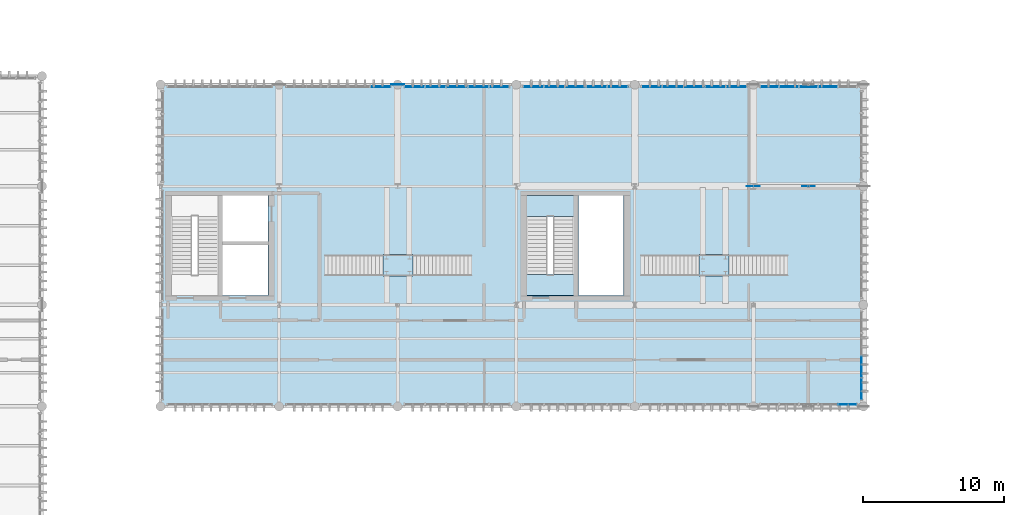
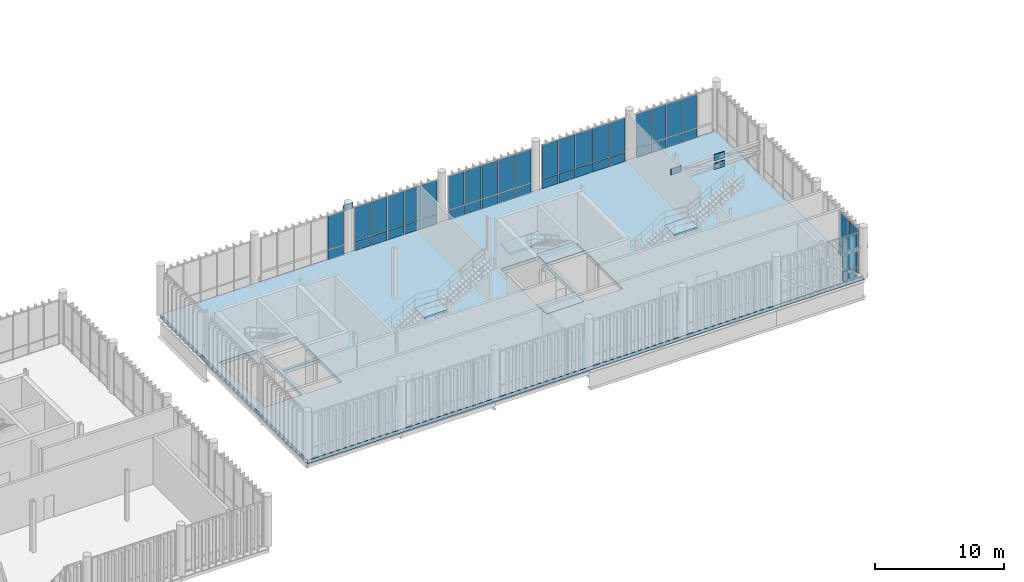
# One storey, part 66 of 86: 50 plates, 6 slabs, 10 elements without a shape of their own.
"""IFC4 building model written with IfcOpenShell, lengths in metres."""

from ifc_helpers import new_model, si_unit, direction, frame, frame_2d, origin_with_axes, origin_2d_with_axis, place, context, subcontext, project, spatial, polyline, rectangle, outline, extrude, material, layer, layer_set, type_object, element, aggregate, save


model = new_model("IFC4")

# Units and contexts
model_context = context("Model", 3, precision=1e-05, world=origin_with_axes(), true_north=direction((0.0, 1.0)))
body_context = subcontext(model_context, "Body", "Model", "MODEL_VIEW")
ifc_project = project(units=[si_unit("LENGTHUNIT", "METRE"), si_unit("AREAUNIT", "SQUARE_METRE"), si_unit("VOLUMEUNIT", "CUBIC_METRE"), si_unit("PLANEANGLEUNIT", "RADIAN"), si_unit("MASSUNIT", "GRAM", prefix="KILO"), si_unit("THERMODYNAMICTEMPERATUREUNIT", "KELVIN")], contexts=[model_context])

# Site, building, storey
site_placement = place(None, origin_with_axes())
site = spatial("IfcSite", under=ifc_project, at=site_placement, CompositionType="ELEMENT")
building_placement = place(site_placement, origin_with_axes())
building = spatial("IfcBuilding", under=site, at=building_placement, Name="Montbau Bow Law Courts", CompositionType="ELEMENT")
storey_placement = place(building_placement, frame((0.0, 0.0, 29.7), z_axis=(0.0, 0.0, 1.0), x_axis=(1.0, 0.0, 0.0)))
storey = spatial("IfcBuildingStorey", under=building, at=storey_placement, Name="L06", CompositionType="ELEMENT", Elevation=29.7)

# Curtain wall, plate
ifc_material_1 = material(Name="Thermally Broken Extruded Aluminium AA 6063-T6", Category="aluminium")
curtain_wall_type = type_object("IfcCurtainWallType", Name="CW-CRM-02", PredefinedType="NOTDEFINED", material=ifc_material_1)
curtain_wall_1_placement = place(None, frame((97.64, 39.14, 29.7), z_axis=(0.0, 0.0, 1.0), x_axis=(1.0, 0.0, 0.0)))
curtain_wall_1 = element("IfcCurtainWall", 1, at=curtain_wall_1_placement, inside=storey, type_object=curtain_wall_type, Name="CW-L06-228:cw_0228", PredefinedType="NOTDEFINED")
ifc_material_2 = material(Name="Triple-Glazed Low-E Argon Insulating Glass Unit", Category="glass")
ifc_layer_1 = layer(ifc_material_2, 0.044, Name="Curtain Panel", Category="glass")
ifc_layer_set_1 = layer_set([ifc_layer_1], Name="Triple-Glazed Low-E Argon Insulating Glass Unit")
plate_type_1 = type_object("IfcPlateType", Name="PL-CWP-01", PredefinedType="CURTAIN_PANEL", material=ifc_layer_set_1)
plate_1_placement = place(None, frame((103.215, 39.14, 30.682), z_axis=(0.0, -1.0, 0.0), x_axis=(1.0, 0.0, 0.0)))
plate_1 = element("IfcPlate", 2, at=plate_1_placement, type_object=plate_type_1, Name="CW-L06-228-P05-2:cw_0228_P05_2", PredefinedType="CURTAIN_PANEL", context=body_context, shape_type="SweptSolid", body=[
    extrude(rectangle(XDim=1.269, YDim=3.176, at=frame_2d((0.6345, 1.588), x_axis=(1.0, 0.0))), frame((0.0, 0.0, -0.022), z_axis=(0.0, 0.0, 1.0), x_axis=(1.0, 0.0, 0.0)), (0.0, 0.0, 1.0), 0.044),
])

curtain_wall_2_placement = place(None, frame((64.04, 61.66, 29.7), z_axis=(0.0, 0.0, 1.0), x_axis=(1.0, 0.0, 0.0)))
curtain_wall_2 = element("IfcCurtainWall", 3, at=curtain_wall_2_placement, inside=storey, type_object=curtain_wall_type, Name="CW-L06-230:cw_0230", PredefinedType="NOTDEFINED")
plate_2_placement = place(None, frame((70.088, 61.66, 30.682), z_axis=(0.0, -1.0, 0.0), x_axis=(1.0, 0.0, 0.0)))
plate_2 = element("IfcPlate", 4, at=plate_2_placement, type_object=plate_type_1, Name="CW-L06-230-P05-2:cw_0230_P05_2", PredefinedType="CURTAIN_PANEL", context=body_context, shape_type="SweptSolid", body=[
    extrude(rectangle(XDim=1.41, YDim=3.176, at=frame_2d((0.705, 1.588), x_axis=(1.0, 0.0))), frame((0.0, 0.0, -0.022), z_axis=(0.0, 0.0, 1.0), x_axis=(1.0, 0.0, 0.0)), (0.0, 0.0, 1.0), 0.044),
])

# Curtain wall, plates
curtain_wall_3_placement = place(None, frame((72.44, 61.66, 29.7), z_axis=(0.0, 0.0, 1.0), x_axis=(1.0, 0.0, 0.0)))
curtain_wall_3 = element("IfcCurtainWall", 5, at=curtain_wall_3_placement, inside=storey, type_object=curtain_wall_type, Name="CW-L06-231:cw_0231", PredefinedType="NOTDEFINED")
plate_3_placement = place(None, frame((72.516, 61.66, 30.679), z_axis=(0.0, -1.0, 0.0), x_axis=(1.0, 0.0, 0.0)))
plate_3 = element("IfcPlate", 6, at=plate_3_placement, type_object=plate_type_1, Name="CW-L06-231-P01-2:cw_0231_P01_2", PredefinedType="CURTAIN_PANEL", context=body_context, shape_type="SweptSolid", body=[
    extrude(rectangle(XDim=1.388, YDim=3.183, at=frame_2d((0.694, 1.5915), x_axis=(1.0, 0.0))), frame((0.0, 0.0, -0.022), z_axis=(0.0, 0.0, 1.0), x_axis=(1.0, 0.0, 0.0)), (0.0, 0.0, 1.0), 0.044),
])
plate_4_placement = place(None, frame((73.984, 61.66, 30.679), z_axis=(0.0, -1.0, 0.0), x_axis=(1.0, 0.0, 0.0)))
plate_4 = element("IfcPlate", 7, at=plate_4_placement, type_object=plate_type_1, Name="CW-L06-231-P02-2:cw_0231_P02_2", PredefinedType="CURTAIN_PANEL", context=body_context, shape_type="SweptSolid", body=[
    extrude(rectangle(XDim=1.425, YDim=3.183, at=frame_2d((0.7125, 1.5915), x_axis=(1.0, 0.0))), frame((0.0, 0.0, -0.022), z_axis=(0.0, 0.0, 1.0), x_axis=(1.0, 0.0, 0.0)), (0.0, 0.0, 1.0), 0.044),
])
plate_5_placement = place(None, frame((75.487, 61.66, 30.679), z_axis=(0.0, -1.0, 0.0), x_axis=(1.0, 0.0, 0.0)))
plate_5 = element("IfcPlate", 8, at=plate_5_placement, type_object=plate_type_1, Name="CW-L06-231-P03-2:cw_0231_P03_2", PredefinedType="CURTAIN_PANEL", context=body_context, shape_type="SweptSolid", body=[
    extrude(rectangle(XDim=1.426, YDim=3.183, at=frame_2d((0.713, 1.5915), x_axis=(1.0, 0.0))), frame((0.0, 0.0, -0.022), z_axis=(0.0, 0.0, 1.0), x_axis=(1.0, 0.0, 0.0)), (0.0, 0.0, 1.0), 0.044),
])
plate_6_placement = place(None, frame((76.991, 61.66, 30.679), z_axis=(0.0, -1.0, 0.0), x_axis=(1.0, 0.0, 0.0)))
plate_6 = element("IfcPlate", 9, at=plate_6_placement, type_object=plate_type_1, Name="CW-L06-231-P04-2:cw_0231_P04_2", PredefinedType="CURTAIN_PANEL", context=body_context, shape_type="SweptSolid", body=[
    extrude(rectangle(XDim=1.426, YDim=3.183, at=frame_2d((0.713, 1.5915), x_axis=(1.0, 0.0))), frame((0.0, 0.0, -0.022), z_axis=(0.0, 0.0, 1.0), x_axis=(1.0, 0.0, 0.0)), (0.0, 0.0, 1.0), 0.044),
])
plate_7_placement = place(None, frame((78.495, 61.66, 30.679), z_axis=(0.0, -1.0, 0.0), x_axis=(1.0, 0.0, 0.0)))
plate_7 = element("IfcPlate", 10, at=plate_7_placement, type_object=plate_type_1, Name="CW-L06-231-P05-2:cw_0231_P05_2", PredefinedType="CURTAIN_PANEL", context=body_context, shape_type="SweptSolid", body=[
    extrude(rectangle(XDim=1.388, YDim=3.183, at=frame_2d((0.694, 1.5915), x_axis=(1.0, 0.0))), frame((0.0, 0.0, -0.022), z_axis=(0.0, 0.0, 1.0), x_axis=(1.0, 0.0, 0.0)), (0.0, 0.0, 1.0), 0.044),
])

curtain_wall_4_placement = place(None, frame((80.84, 61.66, 29.7), z_axis=(0.0, 0.0, 1.0), x_axis=(1.0, 0.0, 0.0)))
curtain_wall_4 = element("IfcCurtainWall", 11, at=curtain_wall_4_placement, inside=storey, type_object=curtain_wall_type, Name="CW-L06-232:cw_0232", PredefinedType="NOTDEFINED")
plate_8_placement = place(None, frame((80.908, 61.66, 30.682), z_axis=(0.0, -1.0, 0.0), x_axis=(1.0, 0.0, 0.0)))
plate_8 = element("IfcPlate", 12, at=plate_8_placement, type_object=plate_type_1, Name="CW-L06-232-P01-2:cw_0232_P01_2", PredefinedType="CURTAIN_PANEL", context=body_context, shape_type="SweptSolid", body=[
    extrude(rectangle(XDim=1.402, YDim=3.176, at=frame_2d((0.701, 1.588), x_axis=(1.0, 0.0))), frame((0.0, 0.0, -0.022), z_axis=(0.0, 0.0, 1.0), x_axis=(1.0, 0.0, 0.0)), (0.0, 0.0, 1.0), 0.044),
])
plate_9_placement = place(None, frame((82.378, 61.66, 30.682), z_axis=(0.0, -1.0, 0.0), x_axis=(1.0, 0.0, 0.0)))
plate_9 = element("IfcPlate", 13, at=plate_9_placement, type_object=plate_type_1, Name="CW-L06-232-P02-2:cw_0232_P02_2", PredefinedType="CURTAIN_PANEL", context=body_context, shape_type="SweptSolid", body=[
    extrude(rectangle(XDim=1.436, YDim=3.176, at=frame_2d((0.718, 1.588), x_axis=(1.0, 0.0))), frame((0.0, 0.0, -0.022), z_axis=(0.0, 0.0, 1.0), x_axis=(1.0, 0.0, 0.0)), (0.0, 0.0, 1.0), 0.044),
])
plate_10_placement = place(None, frame((83.882, 61.66, 30.682), z_axis=(0.0, -1.0, 0.0), x_axis=(1.0, 0.0, 0.0)))
plate_10 = element("IfcPlate", 14, at=plate_10_placement, type_object=plate_type_1, Name="CW-L06-232-P03-2:cw_0232_P03_2", PredefinedType="CURTAIN_PANEL", context=body_context, shape_type="SweptSolid", body=[
    extrude(rectangle(XDim=1.436, YDim=3.176, at=frame_2d((0.718, 1.588), x_axis=(1.0, 0.0))), frame((0.0, 0.0, -0.022), z_axis=(0.0, 0.0, 1.0), x_axis=(1.0, 0.0, 0.0)), (0.0, 0.0, 1.0), 0.044),
])
plate_11_placement = place(None, frame((85.386, 61.66, 30.682), z_axis=(0.0, -1.0, 0.0), x_axis=(1.0, 0.0, 0.0)))
plate_11 = element("IfcPlate", 15, at=plate_11_placement, type_object=plate_type_1, Name="CW-L06-232-P04-2:cw_0232_P04_2", PredefinedType="CURTAIN_PANEL", context=body_context, shape_type="SweptSolid", body=[
    extrude(rectangle(XDim=1.436, YDim=3.176, at=frame_2d((0.718, 1.588), x_axis=(1.0, 0.0))), frame((0.0, 0.0, -0.022), z_axis=(0.0, 0.0, 1.0), x_axis=(1.0, 0.0, 0.0)), (0.0, 0.0, 1.0), 0.044),
])
plate_12_placement = place(None, frame((86.89, 61.66, 30.682), z_axis=(0.0, -1.0, 0.0), x_axis=(1.0, 0.0, 0.0)))
plate_12 = element("IfcPlate", 16, at=plate_12_placement, type_object=plate_type_1, Name="CW-L06-232-P05-2:cw_0232_P05_2", PredefinedType="CURTAIN_PANEL", context=body_context, shape_type="SweptSolid", body=[
    extrude(rectangle(XDim=1.403, YDim=3.176, at=frame_2d((0.7015, 1.588), x_axis=(1.0, 0.0))), frame((0.0, 0.0, -0.022), z_axis=(0.0, 0.0, 1.0), x_axis=(1.0, 0.0, 0.0)), (0.0, 0.0, 1.0), 0.044),
])

curtain_wall_5_placement = place(None, frame((89.24, 61.66, 29.7), z_axis=(0.0, 0.0, 1.0), x_axis=(1.0, 0.0, 0.0)))
curtain_wall_5 = element("IfcCurtainWall", 17, at=curtain_wall_5_placement, inside=storey, type_object=curtain_wall_type, Name="CW-L06-233:cw_0233", PredefinedType="NOTDEFINED")
plate_13_placement = place(None, frame((89.302, 61.66, 30.679), z_axis=(0.0, -1.0, 0.0), x_axis=(1.0, 0.0, 0.0)))
plate_13 = element("IfcPlate", 18, at=plate_13_placement, type_object=plate_type_1, Name="CW-L06-233-P01-2:cw_0233_P01_2", PredefinedType="CURTAIN_PANEL", context=body_context, shape_type="SweptSolid", body=[
    extrude(rectangle(XDim=1.41, YDim=3.183, at=frame_2d((0.705, 1.5915), x_axis=(1.0, 0.0))), frame((0.0, 0.0, -0.022), z_axis=(0.0, 0.0, 1.0), x_axis=(1.0, 0.0, 0.0)), (0.0, 0.0, 1.0), 0.044),
])
plate_14_placement = place(None, frame((90.776, 61.66, 30.679), z_axis=(0.0, -1.0, 0.0), x_axis=(1.0, 0.0, 0.0)))
plate_14 = element("IfcPlate", 19, at=plate_14_placement, type_object=plate_type_1, Name="CW-L06-233-P02-2:cw_0233_P02_2", PredefinedType="CURTAIN_PANEL", context=body_context, shape_type="SweptSolid", body=[
    extrude(rectangle(XDim=1.44, YDim=3.183, at=frame_2d((0.72, 1.5915), x_axis=(1.0, 0.0))), frame((0.0, 0.0, -0.022), z_axis=(0.0, 0.0, 1.0), x_axis=(1.0, 0.0, 0.0)), (0.0, 0.0, 1.0), 0.044),
])
plate_15_placement = place(None, frame((92.28, 61.66, 30.679), z_axis=(0.0, -1.0, 0.0), x_axis=(1.0, 0.0, 0.0)))
plate_15 = element("IfcPlate", 20, at=plate_15_placement, type_object=plate_type_1, Name="CW-L06-233-P03-2:cw_0233_P03_2", PredefinedType="CURTAIN_PANEL", context=body_context, shape_type="SweptSolid", body=[
    extrude(rectangle(XDim=1.44, YDim=3.183, at=frame_2d((0.72, 1.5915), x_axis=(1.0, 0.0))), frame((0.0, 0.0, -0.022), z_axis=(0.0, 0.0, 1.0), x_axis=(1.0, 0.0, 0.0)), (0.0, 0.0, 1.0), 0.044),
])
plate_16_placement = place(None, frame((93.784, 61.66, 30.679), z_axis=(0.0, -1.0, 0.0), x_axis=(1.0, 0.0, 0.0)))
plate_16 = element("IfcPlate", 21, at=plate_16_placement, type_object=plate_type_1, Name="CW-L06-233-P04-2:cw_0233_P04_2", PredefinedType="CURTAIN_PANEL", context=body_context, shape_type="SweptSolid", body=[
    extrude(rectangle(XDim=1.44, YDim=3.183, at=frame_2d((0.72, 1.5915), x_axis=(1.0, 0.0))), frame((0.0, 0.0, -0.022), z_axis=(0.0, 0.0, 1.0), x_axis=(1.0, 0.0, 0.0)), (0.0, 0.0, 1.0), 0.044),
])
plate_17_placement = place(None, frame((95.288, 61.66, 30.679), z_axis=(0.0, -1.0, 0.0), x_axis=(1.0, 0.0, 0.0)))
plate_17 = element("IfcPlate", 22, at=plate_17_placement, type_object=plate_type_1, Name="CW-L06-233-P05-2:cw_0233_P05_2", PredefinedType="CURTAIN_PANEL", context=body_context, shape_type="SweptSolid", body=[
    extrude(rectangle(XDim=1.41, YDim=3.183, at=frame_2d((0.705, 1.5915), x_axis=(1.0, 0.0))), frame((0.0, 0.0, -0.022), z_axis=(0.0, 0.0, 1.0), x_axis=(1.0, 0.0, 0.0)), (0.0, 0.0, 1.0), 0.044),
])

curtain_wall_6_placement = place(None, frame((97.64, 61.66, 29.7), z_axis=(0.0, 0.0, 1.0), x_axis=(1.0, 0.0, 0.0)))
curtain_wall_6 = element("IfcCurtainWall", 23, at=curtain_wall_6_placement, inside=storey, type_object=curtain_wall_type, Name="CW-L06-234:cw_0234", PredefinedType="NOTDEFINED")
plate_18_placement = place(None, frame((97.716, 61.66, 30.682), z_axis=(0.0, -1.0, 0.0), x_axis=(1.0, 0.0, 0.0)))
plate_18 = element("IfcPlate", 24, at=plate_18_placement, type_object=plate_type_1, Name="CW-L06-234-P01-2:cw_0234_P01_2", PredefinedType="CURTAIN_PANEL", context=body_context, shape_type="SweptSolid", body=[
    extrude(rectangle(XDim=1.268, YDim=3.176, at=frame_2d((0.634, 1.588), x_axis=(1.0, 0.0))), frame((0.0, 0.0, -0.022), z_axis=(0.0, 0.0, 1.0), x_axis=(1.0, 0.0, 0.0)), (0.0, 0.0, 1.0), 0.044),
])
plate_19_placement = place(None, frame((99.063, 61.66, 30.682), z_axis=(0.0, -1.0, 0.0), x_axis=(1.0, 0.0, 0.0)))
plate_19 = element("IfcPlate", 25, at=plate_19_placement, type_object=plate_type_1, Name="CW-L06-234-P02-2:cw_0234_P02_2", PredefinedType="CURTAIN_PANEL", context=body_context, shape_type="SweptSolid", body=[
    extrude(rectangle(XDim=1.305, YDim=3.176, at=frame_2d((0.6525, 1.588), x_axis=(1.0, 0.0))), frame((0.0, 0.0, -0.022), z_axis=(0.0, 0.0, 1.0), x_axis=(1.0, 0.0, 0.0)), (0.0, 0.0, 1.0), 0.044),
])
plate_20_placement = place(None, frame((100.447, 61.66, 30.682), z_axis=(0.0, -1.0, 0.0), x_axis=(1.0, 0.0, 0.0)))
plate_20 = element("IfcPlate", 26, at=plate_20_placement, type_object=plate_type_1, Name="CW-L06-234-P03-2:cw_0234_P03_2", PredefinedType="CURTAIN_PANEL", context=body_context, shape_type="SweptSolid", body=[
    extrude(rectangle(XDim=1.306, YDim=3.176, at=frame_2d((0.653, 1.588), x_axis=(1.0, 0.0))), frame((0.0, 0.0, -0.022), z_axis=(0.0, 0.0, 1.0), x_axis=(1.0, 0.0, 0.0)), (0.0, 0.0, 1.0), 0.044),
])
plate_21_placement = place(None, frame((101.831, 61.66, 30.682), z_axis=(0.0, -1.0, 0.0), x_axis=(1.0, 0.0, 0.0)))
plate_21 = element("IfcPlate", 27, at=plate_21_placement, type_object=plate_type_1, Name="CW-L06-234-P04-2:cw_0234_P04_2", PredefinedType="CURTAIN_PANEL", context=body_context, shape_type="SweptSolid", body=[
    extrude(rectangle(XDim=1.306, YDim=3.176, at=frame_2d((0.653, 1.588), x_axis=(1.0, 0.0))), frame((0.0, 0.0, -0.022), z_axis=(0.0, 0.0, 1.0), x_axis=(1.0, 0.0, 0.0)), (0.0, 0.0, 1.0), 0.044),
])

curtain_wall_7_placement = place(None, frame((104.86, 39.44, 29.7), z_axis=(0.0, 0.0, 1.0), x_axis=(1.0, 0.0, 0.0)))
curtain_wall_7 = element("IfcCurtainWall", 28, at=curtain_wall_7_placement, inside=storey, type_object=curtain_wall_type, Name="CW-L06-238:cw_0238", PredefinedType="NOTDEFINED")
plate_22_placement = place(None, frame((104.86, 39.508, 30.682), z_axis=(1.0, 0.0, 0.0), x_axis=(0.0, 1.0, 0.0)))
plate_22 = element("IfcPlate", 29, at=plate_22_placement, type_object=plate_type_1, Name="CW-L06-238-P01-2:cw_0238_P01_2", PredefinedType="CURTAIN_PANEL", context=body_context, shape_type="SweptSolid", body=[
    extrude(rectangle(XDim=1.478, YDim=3.176, at=frame_2d((0.739, 1.588), x_axis=(1.0, 0.0))), frame((0.0, 0.0, -0.022), z_axis=(0.0, 0.0, 1.0), x_axis=(1.0, 0.0, 0.0)), (0.0, 0.0, 1.0), 0.044),
])
plate_23_placement = place(None, frame((104.86, 41.055, 30.682), z_axis=(1.0, 0.0, 0.0), x_axis=(0.0, 1.0, 0.0)))
plate_23 = element("IfcPlate", 30, at=plate_23_placement, type_object=plate_type_1, Name="CW-L06-238-P02-2:cw_0238_P02_2", PredefinedType="CURTAIN_PANEL", context=body_context, shape_type="SweptSolid", body=[
    extrude(rectangle(XDim=1.511, YDim=3.176, at=frame_2d((0.7555, 1.588), x_axis=(1.0, 0.0))), frame((0.0, 0.0, -0.022), z_axis=(0.0, 0.0, 1.0), x_axis=(1.0, 0.0, 0.0)), (0.0, 0.0, 1.0), 0.044),
])

# Plate
ifc_material_3 = material(Name="Insulated Ceramic-Frit Spandrel Glazing Unit", Category="glass")
ifc_layer_2 = layer(ifc_material_3, 0.056, Name="Curtain Panel", Category="glass")
ifc_layer_set_2 = layer_set([ifc_layer_2], Name="Insulated Ceramic-Frit Spandrel Glazing Unit")
plate_type_2 = type_object("IfcPlateType", Name="PL-CWP-02", PredefinedType="CURTAIN_PANEL", material=ifc_layer_set_2)
plate_24_placement = place(None, frame((103.215, 39.14, 29.762), z_axis=(0.0, -1.0, 0.0), x_axis=(1.0, 0.0, 0.0)))
plate_24 = element("IfcPlate", 31, at=plate_24_placement, type_object=plate_type_2, Name="CW-L06-228-P05-1:cw_0228_P05_1", PredefinedType="CURTAIN_PANEL", context=body_context, shape_type="SweptSolid", body=[
    extrude(rectangle(XDim=1.269, YDim=0.856, at=frame_2d((0.6345, 0.428), x_axis=(1.0, 0.0))), frame((0.0, 0.0, -0.028), z_axis=(0.0, 0.0, 1.0), x_axis=(1.0, 0.0, 0.0)), (0.0, 0.0, 1.0), 0.056),
])

aggregate(curtain_wall_1, [plate_24, plate_1])

plate_25_placement = place(None, frame((70.088, 61.66, 29.762), z_axis=(0.0, -1.0, 0.0), x_axis=(1.0, 0.0, 0.0)))
plate_25 = element("IfcPlate", 32, at=plate_25_placement, type_object=plate_type_2, Name="CW-L06-230-P05-1:cw_0230_P05_1", PredefinedType="CURTAIN_PANEL", context=body_context, shape_type="SweptSolid", body=[
    extrude(rectangle(XDim=1.41, YDim=0.856, at=frame_2d((0.705, 0.428), x_axis=(1.0, 0.0))), frame((0.0, 0.0, -0.028), z_axis=(0.0, 0.0, 1.0), x_axis=(1.0, 0.0, 0.0)), (0.0, 0.0, 1.0), 0.056),
])

aggregate(curtain_wall_2, [plate_25, plate_2])

plate_26_placement = place(None, frame((72.516, 61.66, 29.756), z_axis=(0.0, -1.0, 0.0), x_axis=(1.0, 0.0, 0.0)))
plate_26 = element("IfcPlate", 33, at=plate_26_placement, type_object=plate_type_2, Name="CW-L06-231-P01-1:cw_0231_P01_1", PredefinedType="CURTAIN_PANEL", context=body_context, shape_type="SweptSolid", body=[
    extrude(rectangle(XDim=1.388, YDim=0.864, at=frame_2d((0.694, 0.432), x_axis=(1.0, 0.0))), frame((0.0, 0.0, -0.028), z_axis=(0.0, 0.0, 1.0), x_axis=(1.0, 0.0, 0.0)), (0.0, 0.0, 1.0), 0.056),
])

plate_27_placement = place(None, frame((73.984, 61.66, 29.756), z_axis=(0.0, -1.0, 0.0), x_axis=(1.0, 0.0, 0.0)))
plate_27 = element("IfcPlate", 34, at=plate_27_placement, type_object=plate_type_2, Name="CW-L06-231-P02-1:cw_0231_P02_1", PredefinedType="CURTAIN_PANEL", context=body_context, shape_type="SweptSolid", body=[
    extrude(rectangle(XDim=1.425, YDim=0.864, at=frame_2d((0.7125, 0.432), x_axis=(1.0, 0.0))), frame((0.0, 0.0, -0.028), z_axis=(0.0, 0.0, 1.0), x_axis=(1.0, 0.0, 0.0)), (0.0, 0.0, 1.0), 0.056),
])

plate_28_placement = place(None, frame((75.487, 61.66, 29.756), z_axis=(0.0, -1.0, 0.0), x_axis=(1.0, 0.0, 0.0)))
plate_28 = element("IfcPlate", 35, at=plate_28_placement, type_object=plate_type_2, Name="CW-L06-231-P03-1:cw_0231_P03_1", PredefinedType="CURTAIN_PANEL", context=body_context, shape_type="SweptSolid", body=[
    extrude(rectangle(XDim=1.426, YDim=0.864, at=frame_2d((0.713, 0.432), x_axis=(1.0, 0.0))), frame((0.0, 0.0, -0.028), z_axis=(0.0, 0.0, 1.0), x_axis=(1.0, 0.0, 0.0)), (0.0, 0.0, 1.0), 0.056),
])

plate_29_placement = place(None, frame((76.991, 61.66, 29.756), z_axis=(0.0, -1.0, 0.0), x_axis=(1.0, 0.0, 0.0)))
plate_29 = element("IfcPlate", 36, at=plate_29_placement, type_object=plate_type_2, Name="CW-L06-231-P04-1:cw_0231_P04_1", PredefinedType="CURTAIN_PANEL", context=body_context, shape_type="SweptSolid", body=[
    extrude(rectangle(XDim=1.426, YDim=0.864, at=frame_2d((0.713, 0.432), x_axis=(1.0, 0.0))), frame((0.0, 0.0, -0.028), z_axis=(0.0, 0.0, 1.0), x_axis=(1.0, 0.0, 0.0)), (0.0, 0.0, 1.0), 0.056),
])

plate_30_placement = place(None, frame((78.495, 61.66, 29.756), z_axis=(0.0, -1.0, 0.0), x_axis=(1.0, 0.0, 0.0)))
plate_30 = element("IfcPlate", 37, at=plate_30_placement, type_object=plate_type_2, Name="CW-L06-231-P05-1:cw_0231_P05_1", PredefinedType="CURTAIN_PANEL", context=body_context, shape_type="SweptSolid", body=[
    extrude(rectangle(XDim=1.388, YDim=0.864, at=frame_2d((0.694, 0.432), x_axis=(1.0, 0.0))), frame((0.0, 0.0, -0.028), z_axis=(0.0, 0.0, 1.0), x_axis=(1.0, 0.0, 0.0)), (0.0, 0.0, 1.0), 0.056),
])

aggregate(curtain_wall_3, [plate_26, plate_3, plate_27, plate_4, plate_28, plate_5, plate_29, plate_6, plate_30, plate_7])

plate_31_placement = place(None, frame((80.908, 61.66, 29.762), z_axis=(0.0, -1.0, 0.0), x_axis=(1.0, 0.0, 0.0)))
plate_31 = element("IfcPlate", 38, at=plate_31_placement, type_object=plate_type_2, Name="CW-L06-232-P01-1:cw_0232_P01_1", PredefinedType="CURTAIN_PANEL", context=body_context, shape_type="SweptSolid", body=[
    extrude(rectangle(XDim=1.402, YDim=0.856, at=frame_2d((0.701, 0.428), x_axis=(1.0, 0.0))), frame((0.0, 0.0, -0.028), z_axis=(0.0, 0.0, 1.0), x_axis=(1.0, 0.0, 0.0)), (0.0, 0.0, 1.0), 0.056),
])

plate_32_placement = place(None, frame((82.378, 61.66, 29.762), z_axis=(0.0, -1.0, 0.0), x_axis=(1.0, 0.0, 0.0)))
plate_32 = element("IfcPlate", 39, at=plate_32_placement, type_object=plate_type_2, Name="CW-L06-232-P02-1:cw_0232_P02_1", PredefinedType="CURTAIN_PANEL", context=body_context, shape_type="SweptSolid", body=[
    extrude(rectangle(XDim=1.436, YDim=0.856, at=frame_2d((0.718, 0.428), x_axis=(1.0, 0.0))), frame((0.0, 0.0, -0.028), z_axis=(0.0, 0.0, 1.0), x_axis=(1.0, 0.0, 0.0)), (0.0, 0.0, 1.0), 0.056),
])

plate_33_placement = place(None, frame((83.882, 61.66, 29.762), z_axis=(0.0, -1.0, 0.0), x_axis=(1.0, 0.0, 0.0)))
plate_33 = element("IfcPlate", 40, at=plate_33_placement, type_object=plate_type_2, Name="CW-L06-232-P03-1:cw_0232_P03_1", PredefinedType="CURTAIN_PANEL", context=body_context, shape_type="SweptSolid", body=[
    extrude(rectangle(XDim=1.436, YDim=0.856, at=frame_2d((0.718, 0.428), x_axis=(1.0, 0.0))), frame((0.0, 0.0, -0.028), z_axis=(0.0, 0.0, 1.0), x_axis=(1.0, 0.0, 0.0)), (0.0, 0.0, 1.0), 0.056),
])

plate_34_placement = place(None, frame((85.386, 61.66, 29.762), z_axis=(0.0, -1.0, 0.0), x_axis=(1.0, 0.0, 0.0)))
plate_34 = element("IfcPlate", 41, at=plate_34_placement, type_object=plate_type_2, Name="CW-L06-232-P04-1:cw_0232_P04_1", PredefinedType="CURTAIN_PANEL", context=body_context, shape_type="SweptSolid", body=[
    extrude(rectangle(XDim=1.436, YDim=0.856, at=frame_2d((0.718, 0.428), x_axis=(1.0, 0.0))), frame((0.0, 0.0, -0.028), z_axis=(0.0, 0.0, 1.0), x_axis=(1.0, 0.0, 0.0)), (0.0, 0.0, 1.0), 0.056),
])

plate_35_placement = place(None, frame((86.89, 61.66, 29.762), z_axis=(0.0, -1.0, 0.0), x_axis=(1.0, 0.0, 0.0)))
plate_35 = element("IfcPlate", 42, at=plate_35_placement, type_object=plate_type_2, Name="CW-L06-232-P05-1:cw_0232_P05_1", PredefinedType="CURTAIN_PANEL", context=body_context, shape_type="SweptSolid", body=[
    extrude(rectangle(XDim=1.403, YDim=0.856, at=frame_2d((0.7015, 0.428), x_axis=(1.0, 0.0))), frame((0.0, 0.0, -0.028), z_axis=(0.0, 0.0, 1.0), x_axis=(1.0, 0.0, 0.0)), (0.0, 0.0, 1.0), 0.056),
])

aggregate(curtain_wall_4, [plate_31, plate_8, plate_32, plate_9, plate_33, plate_10, plate_34, plate_11, plate_35, plate_12])

plate_36_placement = place(None, frame((89.302, 61.66, 29.756), z_axis=(0.0, -1.0, 0.0), x_axis=(1.0, 0.0, 0.0)))
plate_36 = element("IfcPlate", 43, at=plate_36_placement, type_object=plate_type_2, Name="CW-L06-233-P01-1:cw_0233_P01_1", PredefinedType="CURTAIN_PANEL", context=body_context, shape_type="SweptSolid", body=[
    extrude(rectangle(XDim=1.41, YDim=0.864, at=frame_2d((0.705, 0.432), x_axis=(1.0, 0.0))), frame((0.0, 0.0, -0.028), z_axis=(0.0, 0.0, 1.0), x_axis=(1.0, 0.0, 0.0)), (0.0, 0.0, 1.0), 0.056),
])

plate_37_placement = place(None, frame((90.776, 61.66, 29.756), z_axis=(0.0, -1.0, 0.0), x_axis=(1.0, 0.0, 0.0)))
plate_37 = element("IfcPlate", 44, at=plate_37_placement, type_object=plate_type_2, Name="CW-L06-233-P02-1:cw_0233_P02_1", PredefinedType="CURTAIN_PANEL", context=body_context, shape_type="SweptSolid", body=[
    extrude(rectangle(XDim=1.44, YDim=0.864, at=frame_2d((0.72, 0.432), x_axis=(1.0, 0.0))), frame((0.0, 0.0, -0.028), z_axis=(0.0, 0.0, 1.0), x_axis=(1.0, 0.0, 0.0)), (0.0, 0.0, 1.0), 0.056),
])

plate_38_placement = place(None, frame((92.28, 61.66, 29.756), z_axis=(0.0, -1.0, 0.0), x_axis=(1.0, 0.0, 0.0)))
plate_38 = element("IfcPlate", 45, at=plate_38_placement, type_object=plate_type_2, Name="CW-L06-233-P03-1:cw_0233_P03_1", PredefinedType="CURTAIN_PANEL", context=body_context, shape_type="SweptSolid", body=[
    extrude(rectangle(XDim=1.44, YDim=0.864, at=frame_2d((0.72, 0.432), x_axis=(1.0, 0.0))), frame((0.0, 0.0, -0.028), z_axis=(0.0, 0.0, 1.0), x_axis=(1.0, 0.0, 0.0)), (0.0, 0.0, 1.0), 0.056),
])

plate_39_placement = place(None, frame((93.784, 61.66, 29.756), z_axis=(0.0, -1.0, 0.0), x_axis=(1.0, 0.0, 0.0)))
plate_39 = element("IfcPlate", 46, at=plate_39_placement, type_object=plate_type_2, Name="CW-L06-233-P04-1:cw_0233_P04_1", PredefinedType="CURTAIN_PANEL", context=body_context, shape_type="SweptSolid", body=[
    extrude(rectangle(XDim=1.44, YDim=0.864, at=frame_2d((0.72, 0.432), x_axis=(1.0, 0.0))), frame((0.0, 0.0, -0.028), z_axis=(0.0, 0.0, 1.0), x_axis=(1.0, 0.0, 0.0)), (0.0, 0.0, 1.0), 0.056),
])

plate_40_placement = place(None, frame((95.288, 61.66, 29.756), z_axis=(0.0, -1.0, 0.0), x_axis=(1.0, 0.0, 0.0)))
plate_40 = element("IfcPlate", 47, at=plate_40_placement, type_object=plate_type_2, Name="CW-L06-233-P05-1:cw_0233_P05_1", PredefinedType="CURTAIN_PANEL", context=body_context, shape_type="SweptSolid", body=[
    extrude(rectangle(XDim=1.41, YDim=0.864, at=frame_2d((0.705, 0.432), x_axis=(1.0, 0.0))), frame((0.0, 0.0, -0.028), z_axis=(0.0, 0.0, 1.0), x_axis=(1.0, 0.0, 0.0)), (0.0, 0.0, 1.0), 0.056),
])

aggregate(curtain_wall_5, [plate_36, plate_13, plate_37, plate_14, plate_38, plate_15, plate_39, plate_16, plate_40, plate_17])

plate_41_placement = place(None, frame((97.716, 61.66, 29.762), z_axis=(0.0, -1.0, 0.0), x_axis=(1.0, 0.0, 0.0)))
plate_41 = element("IfcPlate", 48, at=plate_41_placement, type_object=plate_type_2, Name="CW-L06-234-P01-1:cw_0234_P01_1", PredefinedType="CURTAIN_PANEL", context=body_context, shape_type="SweptSolid", body=[
    extrude(rectangle(XDim=1.268, YDim=0.856, at=frame_2d((0.634, 0.428), x_axis=(1.0, 0.0))), frame((0.0, 0.0, -0.028), z_axis=(0.0, 0.0, 1.0), x_axis=(1.0, 0.0, 0.0)), (0.0, 0.0, 1.0), 0.056),
])

plate_42_placement = place(None, frame((99.063, 61.66, 29.762), z_axis=(0.0, -1.0, 0.0), x_axis=(1.0, 0.0, 0.0)))
plate_42 = element("IfcPlate", 49, at=plate_42_placement, type_object=plate_type_2, Name="CW-L06-234-P02-1:cw_0234_P02_1", PredefinedType="CURTAIN_PANEL", context=body_context, shape_type="SweptSolid", body=[
    extrude(rectangle(XDim=1.305, YDim=0.856, at=frame_2d((0.6525, 0.428), x_axis=(1.0, 0.0))), frame((0.0, 0.0, -0.028), z_axis=(0.0, 0.0, 1.0), x_axis=(1.0, 0.0, 0.0)), (0.0, 0.0, 1.0), 0.056),
])

plate_43_placement = place(None, frame((100.447, 61.66, 29.762), z_axis=(0.0, -1.0, 0.0), x_axis=(1.0, 0.0, 0.0)))
plate_43 = element("IfcPlate", 50, at=plate_43_placement, type_object=plate_type_2, Name="CW-L06-234-P03-1:cw_0234_P03_1", PredefinedType="CURTAIN_PANEL", context=body_context, shape_type="SweptSolid", body=[
    extrude(rectangle(XDim=1.306, YDim=0.856, at=frame_2d((0.653, 0.428), x_axis=(1.0, 0.0))), frame((0.0, 0.0, -0.028), z_axis=(0.0, 0.0, 1.0), x_axis=(1.0, 0.0, 0.0)), (0.0, 0.0, 1.0), 0.056),
])

plate_44_placement = place(None, frame((101.831, 61.66, 29.762), z_axis=(0.0, -1.0, 0.0), x_axis=(1.0, 0.0, 0.0)))
plate_44 = element("IfcPlate", 51, at=plate_44_placement, type_object=plate_type_2, Name="CW-L06-234-P04-1:cw_0234_P04_1", PredefinedType="CURTAIN_PANEL", context=body_context, shape_type="SweptSolid", body=[
    extrude(rectangle(XDim=1.306, YDim=0.856, at=frame_2d((0.653, 0.428), x_axis=(1.0, 0.0))), frame((0.0, 0.0, -0.028), z_axis=(0.0, 0.0, 1.0), x_axis=(1.0, 0.0, 0.0)), (0.0, 0.0, 1.0), 0.056),
])

aggregate(curtain_wall_6, [plate_41, plate_18, plate_42, plate_19, plate_43, plate_20, plate_44, plate_21])

plate_45_placement = place(None, frame((104.86, 39.508, 29.762), z_axis=(1.0, 0.0, 0.0), x_axis=(0.0, 1.0, 0.0)))
plate_45 = element("IfcPlate", 52, at=plate_45_placement, type_object=plate_type_2, Name="CW-L06-238-P01-1:cw_0238_P01_1", PredefinedType="CURTAIN_PANEL", context=body_context, shape_type="SweptSolid", body=[
    extrude(rectangle(XDim=1.478, YDim=0.856, at=frame_2d((0.739, 0.428), x_axis=(1.0, 0.0))), frame((0.0, 0.0, -0.028), z_axis=(0.0, 0.0, 1.0), x_axis=(1.0, 0.0, 0.0)), (0.0, 0.0, 1.0), 0.056),
])

plate_46_placement = place(None, frame((104.86, 41.055, 29.762), z_axis=(1.0, 0.0, 0.0), x_axis=(0.0, 1.0, 0.0)))
plate_46 = element("IfcPlate", 53, at=plate_46_placement, type_object=plate_type_2, Name="CW-L06-238-P02-1:cw_0238_P02_1", PredefinedType="CURTAIN_PANEL", context=body_context, shape_type="SweptSolid", body=[
    extrude(rectangle(XDim=1.511, YDim=0.856, at=frame_2d((0.7555, 0.428), x_axis=(1.0, 0.0))), frame((0.0, 0.0, -0.028), z_axis=(0.0, 0.0, 1.0), x_axis=(1.0, 0.0, 0.0)), (0.0, 0.0, 1.0), 0.056),
])

aggregate(curtain_wall_7, [plate_45, plate_22, plate_46, plate_23])

# Plates
ifc_material_4 = material(Name="Steel CSA G40.21 Grade 350WT (350 MPa)", Category="steel")
ifc_layer_3 = layer(ifc_material_4, 0.032, Name="Gusset Plate", Category="steel")
ifc_layer_set_3 = layer_set([ifc_layer_3], Name="Steel CSA G40.21 Grade 350WT (350 MPa)")
plate_type_3 = type_object("IfcPlateType", Name="PL-GUS-01", PredefinedType="USERDEFINED", material=ifc_layer_set_3)
for number, where, z_axis, x_axis, name in (
    (54, (97.2, 54.6, 32.72), (0.0, 0.0, 1.0), (1.0, 0.0, 0.0), "BGP-L06-036:plt_0067"),
    (55, (101.1, 54.6, 31.88), (0.0, 0.0, 1.0), (1.0, 0.0, 0.0), "BGP-L06-037:plt_0068"),
    (56, (101.1, 54.6, 32.72), (0.0, 0.0, 1.0), (1.0, 0.0, 0.0), "BGP-L06-038:plt_0069"),
    (57, (72.0, 61.8, 33.717), (0.0, 0.0, 1.0), (1.0, 0.0, 0.0), "BGP-L06-135:plt_0166"),
):
    element("IfcPlate", number, at=place(None, frame(where, z_axis=z_axis, x_axis=x_axis)), inside=storey, type_object=plate_type_3, Name=name, ObjectType="GUSSET_PLATE", PredefinedType="USERDEFINED", context=body_context, shape_type="SweptSolid", body=[
        extrude(rectangle(XDim=0.9, YDim=0.032, at=origin_2d_with_axis()), origin_with_axes(), (0.0, 0.0, 1.0), 0.56),
    ])

# Slab
ifc_material_5 = material(Name="Concrete CSA A23.1 f'c 40 MPa", Category="concrete")
ifc_layer_4 = layer(ifc_material_5, 0.34, Name="Floor Slab", Category="concrete")
ifc_layer_set_4 = layer_set([ifc_layer_4], Name="Concrete CSA A23.1 f'c 40 MPa")
slab_type_1 = type_object("IfcSlabType", Name="SL-FLR-07", PredefinedType="FLOOR", material=ifc_layer_set_4)
slab_1_placement = place(None, frame((0.0, 0.0, 29.36), z_axis=(0.0, 0.0, 1.0), x_axis=(1.0, 0.0, 0.0)))
element("IfcSlab", 58, at=slab_1_placement, inside=storey, type_object=slab_type_1, Name="SL-V3-L06:slb_0021", PredefinedType="FLOOR", context=body_context, shape_type="SweptSolid", body=[
    extrude(outline(polyline([(55.2, 39.0), (105.0, 39.0), (105.0, 61.8), (55.2, 61.8), (55.2, 39.0)]), holes=[polyline([(55.92, 46.888), (59.3, 46.888), (59.3, 53.93), (55.92, 53.93), (55.92, 46.888)]), polyline([(59.6, 46.87), (62.81, 46.87), (62.81, 50.421), (59.6, 50.421), (59.6, 46.87)]), polyline([(59.6, 50.661), (62.81, 50.661), (62.81, 53.93), (59.6, 53.93), (59.6, 50.661)]), polyline([(81.12, 46.888), (84.5, 46.888), (84.5, 53.93), (81.12, 53.93), (81.12, 46.888)]), polyline([(84.8, 46.87), (88.01, 46.87), (88.01, 53.93), (84.8, 53.93), (84.8, 46.87)])]), origin_with_axes(), (0.0, 0.0, 1.0), 0.34),
])

# Stair, slab
ifc_material_6 = material(Name="Steel CSA G40.21 Grade 350W (350 MPa)", Category="steel")
stair_type_1 = type_object("IfcStairType", Name="ST-LIB-1600", PredefinedType="STRAIGHT_RUN_STAIR", material=ifc_material_6)
stair_1_placement = place(None, frame((66.8, 49.0, 29.7), z_axis=(0.0, 0.0, 1.0), x_axis=(1.0, 0.0, 0.0)))
stair_1 = element("IfcStair", 59, at=stair_1_placement, inside=storey, type_object=stair_type_1, Name="ST-LIB-01:str_0068", PredefinedType="STRAIGHT_RUN_STAIR")
ifc_layer_5 = layer(ifc_material_5, 0.18, Name="Landing", Category="concrete")
ifc_layer_set_5 = layer_set([ifc_layer_5], Name="Concrete CSA A23.1 f'c 40 MPa")
slab_type_2 = type_object("IfcSlabType", Name="SL-LND-01", PredefinedType="LANDING", material=ifc_layer_set_5)
slab_2_placement = place(None, frame((0.0, 0.0, 31.92), z_axis=(0.0, 0.0, 1.0), x_axis=(1.0, 0.0, 0.0)))
slab_2 = element("IfcSlab", 60, at=slab_2_placement, type_object=slab_type_2, Name="ST-LIB-01-LM:str_0068_LM", PredefinedType="LANDING", context=body_context, shape_type="SweptSolid", body=[
    extrude(outline(polyline([(70.96, 48.25), (73.09, 48.25), (73.09, 49.75), (70.96, 49.75), (70.96, 48.25)])), origin_with_axes(), (0.0, 0.0, 1.0), 0.18),
])
aggregate(stair_1, [slab_2])

stair_2_placement = place(None, frame((89.2, 49.0, 29.7), z_axis=(0.0, 0.0, 1.0), x_axis=(1.0, 0.0, 0.0)))
stair_2 = element("IfcStair", 61, at=stair_2_placement, inside=storey, type_object=stair_type_1, Name="ST-LIB-02:str_0069", PredefinedType="STRAIGHT_RUN_STAIR")
slab_3_placement = place(None, frame((0.0, 0.0, 31.92), z_axis=(0.0, 0.0, 1.0), x_axis=(1.0, 0.0, 0.0)))
slab_3 = element("IfcSlab", 62, at=slab_3_placement, type_object=slab_type_2, Name="ST-LIB-02-LM:str_0069_LM", PredefinedType="LANDING", context=body_context, shape_type="SweptSolid", body=[
    extrude(outline(polyline([(93.36, 48.25), (95.49, 48.25), (95.49, 49.75), (93.36, 49.75), (93.36, 48.25)])), origin_with_axes(), (0.0, 0.0, 1.0), 0.18),
])
aggregate(stair_2, [slab_3])

# Stair, slabs
stair_type_2 = type_object("IfcStairType", Name="ST-PUB-1800", PredefinedType="HALF_TURN_STAIR", material=ifc_material_5)
stair_3_placement = place(None, frame((81.905, 48.3, 29.7), z_axis=(0.0, 0.0, 1.0), x_axis=(1.0, 0.0, 0.0)))
stair_3 = element("IfcStair", 63, at=stair_3_placement, inside=storey, type_object=stair_type_2, Name="ST-P3-L06:str_0032", PredefinedType="HALF_TURN_STAIR")
ifc_layer_6 = layer(ifc_material_5, 0.21, Name="Landing", Category="concrete")
ifc_layer_set_6 = layer_set([ifc_layer_6], Name="Concrete CSA A23.1 f'c 40 MPa")
slab_type_3 = type_object("IfcSlabType", Name="SL-LND-02", PredefinedType="LANDING", material=ifc_layer_set_6)
slab_4_placement = place(None, frame((0.0, 0.0, 29.49), z_axis=(0.0, 0.0, 1.0), x_axis=(1.0, 0.0, 0.0)))
slab_4 = element("IfcSlab", 64, at=slab_4_placement, type_object=slab_type_3, Name="ST-P3-L06-LB:str_0032_LB", PredefinedType="LANDING", context=body_context, shape_type="SweptSolid", body=[
    extrude(outline(polyline([(81.12, 46.87), (84.5, 46.87), (84.5, 48.34), (81.12, 48.34), (81.12, 46.87)])), origin_with_axes(), (0.0, 0.0, 1.0), 0.21),
])
slab_5_placement = place(None, frame((0.0, 0.0, 31.89), z_axis=(0.0, 0.0, 1.0), x_axis=(1.0, 0.0, 0.0)))
slab_5 = element("IfcSlab", 65, at=slab_5_placement, type_object=slab_type_3, Name="ST-P3-L06-LM:str_0032_LM", PredefinedType="LANDING", context=body_context, shape_type="SweptSolid", body=[
    extrude(outline(polyline([(81.12, 52.46), (84.5, 52.46), (84.5, 53.96), (81.12, 53.96), (81.12, 52.46)])), origin_with_axes(), (0.0, 0.0, 1.0), 0.21),
])
slab_6_placement = place(None, frame((0.0, 0.0, 34.29), z_axis=(0.0, 0.0, 1.0), x_axis=(1.0, 0.0, 0.0)))
slab_6 = element("IfcSlab", 66, at=slab_6_placement, type_object=slab_type_3, Name="ST-P3-L06-LT:str_0032_LT", PredefinedType="LANDING", context=body_context, shape_type="SweptSolid", body=[
    extrude(outline(polyline([(81.12, 46.84), (84.5, 46.84), (84.5, 48.34), (81.12, 48.34), (81.12, 46.84)])), origin_with_axes(), (0.0, 0.0, 1.0), 0.21),
])
aggregate(stair_3, [slab_4, slab_5, slab_6])

save(model, "model.ifc")
